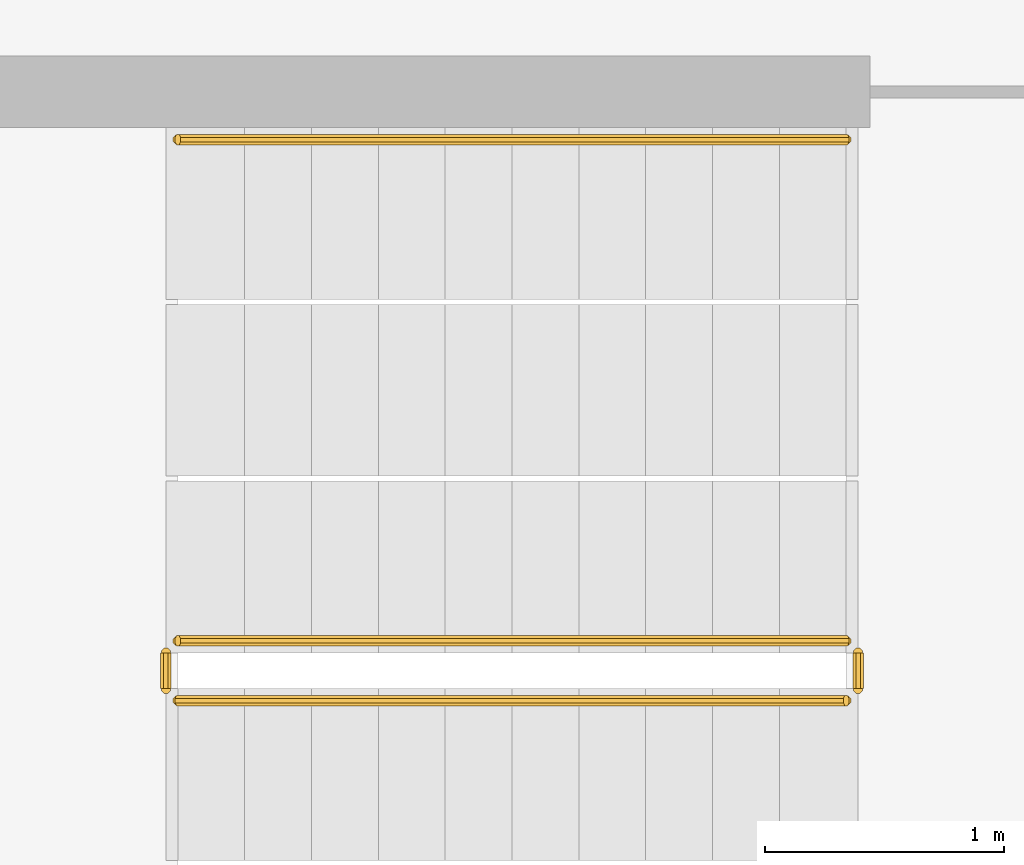
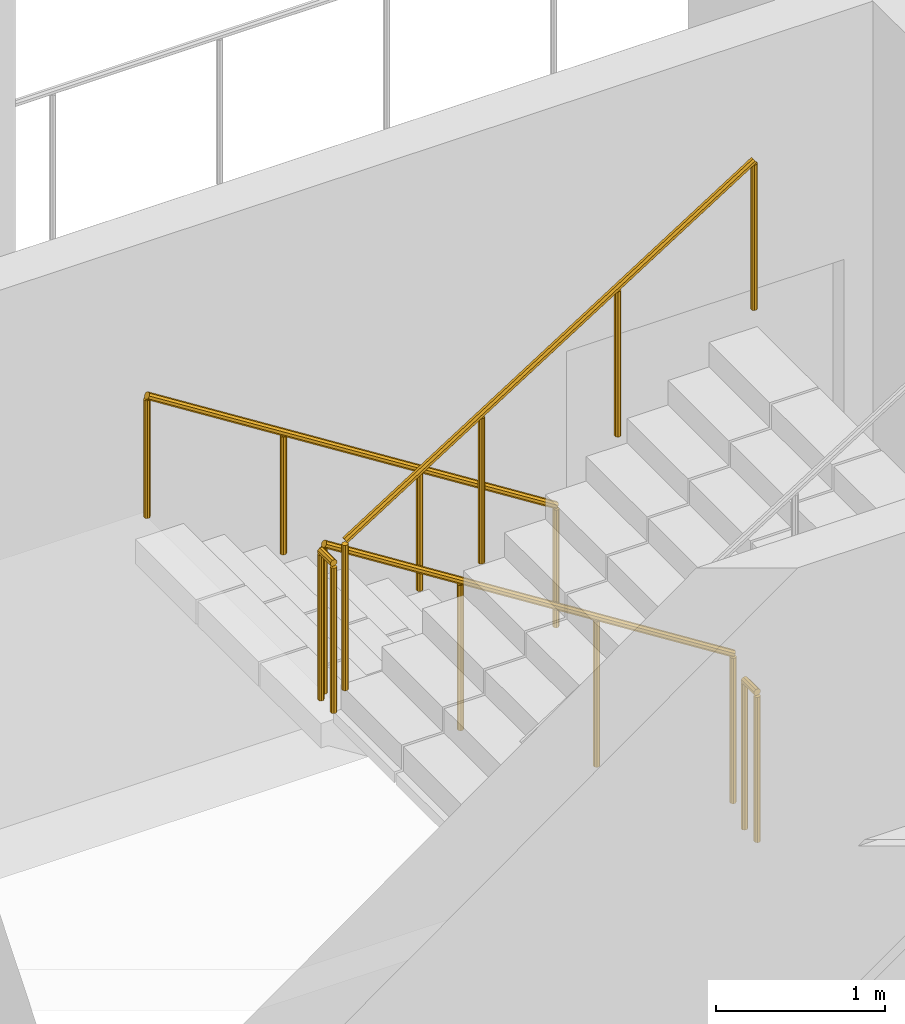
# One storey, part 19 of 26: 5 railings.
"""IFC4 building model written with IfcOpenShell, lengths in metres."""

from ifc_helpers import new_model, si_unit, direction, frame, origin, place, context, subcontext, project, spatial, polyline, outline, extrude, material, type_object, element, save


model = new_model("IFC4")

# Units and contexts
model_context = context("Model", 3, precision=1e-05, world=origin(), true_north=direction((0.0, 1.0)))
body_context = subcontext(model_context, "Body", "Model", "MODEL_VIEW")
ifc_project = project(units=[si_unit("LENGTHUNIT", "METRE"), si_unit("AREAUNIT", "SQUARE_METRE"), si_unit("VOLUMEUNIT", "CUBIC_METRE"), si_unit("PLANEANGLEUNIT", "RADIAN"), si_unit("MASSUNIT", "GRAM", prefix="KILO")], contexts=[model_context])

# Site, building, storey
site_placement = place(None, origin())
site = spatial("IfcSite", under=ifc_project, at=site_placement, CompositionType="ELEMENT")
building_placement = place(site_placement, origin())
building = spatial("IfcBuilding", under=site, at=building_placement, Name="Cormorant Relay Tower", CompositionType="ELEMENT")
storey_placement = place(building_placement, frame((0.0, 0.0, 197.39990234375)))
storey = spatial("IfcBuildingStorey", under=building, at=storey_placement, Name="L42", CompositionType="ELEMENT", Elevation=197.39990234375)

# Railings
ifc_material_1 = material(Name="Steel ASTM A572 Grade 50 (Fy 345 MPa)", Category="steel")
railing_type_1 = type_object("IfcRailingType", Name="Stair guard 1100", PredefinedType="GUARDRAIL", material=ifc_material_1)
railing_1_placement = place(storey_placement, frame((1.60009765625, -18.27490234375, 0.177490234375)))
element("IfcRailing", 1, at=railing_1_placement, inside=storey, type_object=railing_type_1, Name="L42 RK1 stair guard 1", PredefinedType="GUARDRAIL", context=body_context, shape_type="SweptSolid", body=[
    extrude(outline(polyline([(0.022216796875, 0.00927734375), (0.00927734375, 0.022216796875), (-0.00927734375, 0.022216796875), (-0.022216796875, 0.00927734375), (-0.022216796875, -0.00927734375), (-0.00927734375, -0.022216796875), (0.00927734375, -0.022216796875), (0.022216796875, -0.00927734375), (0.022216796875, 0.00927734375)])), frame((0.0, 0.0, 1.076171875), z_axis=(-0.844908973607, 0.0, 0.534910110503), x_axis=(0.0, -1.0, 0.0)), (0.0, 0.0, 1.0), 3.31396484375),
    extrude(outline(polyline([(0.019287109375, 0.008056640625), (0.008056640625, 0.019287109375), (-0.008056640625, 0.019287109375), (-0.019287109375, 0.008056640625), (-0.019287109375, -0.008056640625), (-0.008056640625, -0.019287109375), (0.008056640625, -0.019287109375), (0.019287109375, -0.008056640625), (0.019287109375, 0.008056640625)])), origin(), (0.0, 0.0, 1.0), 1.052001953125),
    extrude(outline(polyline([(0.019287109375, 0.008056640625), (0.008056640625, 0.019287109375), (-0.008056640625, 0.019287109375), (-0.019287109375, 0.008056640625), (-0.019287109375, -0.008056640625), (-0.008056640625, -0.019287109375), (0.008056640625, -0.019287109375), (0.019287109375, -0.008056640625), (0.019287109375, 0.008056640625)])), frame((-0.933349609375, 0.0, 0.5908203125)), (0.0, 0.0, 1.0), 1.052001953125),
    extrude(outline(polyline([(0.019287109375, 0.008056640625), (0.008056640625, 0.019287109375), (-0.008056640625, 0.019287109375), (-0.019287109375, 0.008056640625), (-0.019287109375, -0.008056640625), (-0.008056640625, -0.019287109375), (0.008056640625, -0.019287109375), (0.019287109375, -0.008056640625), (0.019287109375, 0.008056640625)])), frame((-1.86669921875, 0.0, 1.181884765625)), (0.0, 0.0, 1.0), 1.052001953125),
    extrude(outline(polyline([(0.019287109375, 0.008056640625), (0.008056640625, 0.019287109375), (-0.008056640625, 0.019287109375), (-0.019287109375, 0.008056640625), (-0.019287109375, -0.008056640625), (-0.008056640625, -0.019287109375), (0.008056640625, -0.019287109375), (0.019287109375, -0.008056640625), (0.019287109375, 0.008056640625)])), frame((-2.800048828125, 0.0, 1.772705078125)), (0.0, 0.0, 1.0), 1.052001953125),
])
railing_2_placement = place(storey_placement, frame((-1.25, -18.324951171875, 1.9501953125)))
element("IfcRailing", 2, at=railing_2_placement, inside=storey, type_object=railing_type_1, Name="L42 RK1 stair guard 2", PredefinedType="GUARDRAIL", context=body_context, shape_type="SweptSolid", body=[
    extrude(outline(polyline([(0.022216796875, 0.00927734375), (0.00927734375, 0.022216796875), (-0.00927734375, 0.022216796875), (-0.022216796875, 0.00927734375), (-0.022216796875, -0.00927734375), (-0.00927734375, -0.022216796875), (0.00927734375, -0.022216796875), (0.022216796875, -0.00927734375), (0.022216796875, 0.00927734375)])), frame((0.0, 0.0, 1.076171875), z_axis=(0.0, -1.0, 0.0), x_axis=(1.0, 0.0, 0.0)), (0.0, 0.0, 1.0), 0.150146484375),
    extrude(outline(polyline([(0.019287109375, 0.008056640625), (0.008056640625, 0.019287109375), (-0.008056640625, 0.019287109375), (-0.019287109375, 0.008056640625), (-0.019287109375, -0.008056640625), (-0.008056640625, -0.019287109375), (0.008056640625, -0.019287109375), (0.019287109375, -0.008056640625), (0.019287109375, 0.008056640625)])), origin(), (0.0, 0.0, 1.0), 1.052001953125),
    extrude(outline(polyline([(0.019287109375, 0.008056640625), (0.008056640625, 0.019287109375), (-0.008056640625, 0.019287109375), (-0.019287109375, 0.008056640625), (-0.019287109375, -0.008056640625), (-0.008056640625, -0.019287109375), (0.008056640625, -0.019287109375), (0.019287109375, -0.008056640625), (0.019287109375, 0.008056640625)])), frame((0.0, -0.150146484375, 0.0)), (0.0, 0.0, 1.0), 1.052001953125),
])
railing_3_placement = place(storey_placement, frame((-1.199951171875, -18.52490234375, 2.12744140625)))
element("IfcRailing", 3, at=railing_3_placement, inside=storey, type_object=railing_type_1, Name="L42 RK1 stair guard 3", PredefinedType="GUARDRAIL", context=body_context, shape_type="SweptSolid", body=[
    extrude(outline(polyline([(0.022216796875, 0.00927734375), (0.00927734375, 0.022216796875), (-0.00927734375, 0.022216796875), (-0.022216796875, 0.00927734375), (-0.022216796875, -0.00927734375), (-0.00927734375, -0.022216796875), (0.00927734375, -0.022216796875), (0.022216796875, -0.00927734375), (0.022216796875, 0.00927734375)])), frame((0.0, 0.0, 1.076171875), z_axis=(0.844908973607, 0.0, 0.534910110503), x_axis=(0.0, 1.0, 0.0)), (0.0, 0.0, 1.0), 3.31396484375),
    extrude(outline(polyline([(0.019287109375, 0.008056640625), (0.008056640625, 0.019287109375), (-0.008056640625, 0.019287109375), (-0.019287109375, 0.008056640625), (-0.019287109375, -0.008056640625), (-0.008056640625, -0.019287109375), (0.008056640625, -0.019287109375), (0.019287109375, -0.008056640625), (0.019287109375, 0.008056640625)])), origin(), (0.0, 0.0, 1.0), 1.052001953125),
    extrude(outline(polyline([(0.019287109375, 0.008056640625), (0.008056640625, 0.019287109375), (-0.008056640625, 0.019287109375), (-0.019287109375, 0.008056640625), (-0.019287109375, -0.008056640625), (-0.008056640625, -0.019287109375), (0.008056640625, -0.019287109375), (0.019287109375, -0.008056640625), (0.019287109375, 0.008056640625)])), frame((0.933349609375, 0.0, 0.5908203125)), (0.0, 0.0, 1.0), 1.052001953125),
    extrude(outline(polyline([(0.019287109375, 0.008056640625), (0.008056640625, 0.019287109375), (-0.008056640625, 0.019287109375), (-0.019287109375, 0.008056640625), (-0.019287109375, -0.008056640625), (-0.008056640625, -0.019287109375), (0.008056640625, -0.019287109375), (0.019287109375, -0.008056640625), (0.019287109375, 0.008056640625)])), frame((1.86669921875, 0.0, 1.181884765625)), (0.0, 0.0, 1.0), 1.052001953125),
    extrude(outline(polyline([(0.019287109375, 0.008056640625), (0.008056640625, 0.019287109375), (-0.008056640625, 0.019287109375), (-0.019287109375, 0.008056640625), (-0.019287109375, -0.008056640625), (-0.008056640625, -0.019287109375), (0.008056640625, -0.019287109375), (0.019287109375, -0.008056640625), (0.019287109375, 0.008056640625)])), frame((2.800048828125, 0.0, 1.772705078125)), (0.0, 0.0, 1.0), 1.052001953125),
])
railing_4_placement = place(storey_placement, frame((1.64990234375, -18.324951171875, 0.0)))
element("IfcRailing", 4, at=railing_4_placement, inside=storey, type_object=railing_type_1, Name="L42 RK1 stair guard 4", PredefinedType="GUARDRAIL", context=body_context, shape_type="SweptSolid", body=[
    extrude(outline(polyline([(0.022216796875, 0.00927734375), (0.00927734375, 0.022216796875), (-0.00927734375, 0.022216796875), (-0.022216796875, 0.00927734375), (-0.022216796875, -0.00927734375), (-0.00927734375, -0.022216796875), (0.00927734375, -0.022216796875), (0.022216796875, -0.00927734375), (0.022216796875, 0.00927734375)])), frame((0.0, 0.0, 1.076171875), z_axis=(0.0, -1.0, 0.0), x_axis=(1.0, 0.0, 0.0)), (0.0, 0.0, 1.0), 0.150146484375),
    extrude(outline(polyline([(0.019287109375, 0.008056640625), (0.008056640625, 0.019287109375), (-0.008056640625, 0.019287109375), (-0.019287109375, 0.008056640625), (-0.019287109375, -0.008056640625), (-0.008056640625, -0.019287109375), (0.008056640625, -0.019287109375), (0.019287109375, -0.008056640625), (0.019287109375, 0.008056640625)])), origin(), (0.0, 0.0, 1.0), 1.052001953125),
    extrude(outline(polyline([(0.019287109375, 0.008056640625), (0.008056640625, 0.019287109375), (-0.008056640625, 0.019287109375), (-0.019287109375, 0.008056640625), (-0.019287109375, -0.008056640625), (-0.008056640625, -0.019287109375), (0.008056640625, -0.019287109375), (0.019287109375, -0.008056640625), (0.019287109375, 0.008056640625)])), frame((0.0, -0.150146484375, 0.0)), (0.0, 0.0, 1.0), 1.052001953125),
])
ifc_material_2 = material(Name="Steel ASTM A572 Grade 50 (Fy 345 MPa)", Category="steel")
railing_type_2 = type_object("IfcRailingType", Name="Stair handrail 900", PredefinedType="HANDRAIL", material=ifc_material_2)
railing_5_placement = place(storey_placement, frame((1.60009765625, -16.175048828125, 0.177490234375)))
element("IfcRailing", 5, at=railing_5_placement, inside=storey, type_object=railing_type_2, Name="L42 RK1 stair handrail 1", PredefinedType="HANDRAIL", context=body_context, shape_type="SweptSolid", body=[
    extrude(outline(polyline([(0.022216796875, 0.00927734375), (0.00927734375, 0.022216796875), (-0.00927734375, 0.022216796875), (-0.022216796875, 0.00927734375), (-0.022216796875, -0.00927734375), (-0.00927734375, -0.022216796875), (0.00927734375, -0.022216796875), (0.022216796875, -0.00927734375), (0.022216796875, 0.00927734375)])), frame((0.0, 0.0, 0.8759765625), z_axis=(-0.844908973607, 0.0, 0.534910110503), x_axis=(0.0, -1.0, 0.0)), (0.0, 0.0, 1.0), 3.31396484375),
    extrude(outline(polyline([(0.019287109375, 0.008056640625), (0.008056640625, 0.019287109375), (-0.008056640625, 0.019287109375), (-0.019287109375, 0.008056640625), (-0.019287109375, -0.008056640625), (-0.008056640625, -0.019287109375), (0.008056640625, -0.019287109375), (0.019287109375, -0.008056640625), (0.019287109375, 0.008056640625)])), origin(), (0.0, 0.0, 1.0), 0.851806640625),
    extrude(outline(polyline([(0.019287109375, 0.008056640625), (0.008056640625, 0.019287109375), (-0.008056640625, 0.019287109375), (-0.019287109375, 0.008056640625), (-0.019287109375, -0.008056640625), (-0.008056640625, -0.019287109375), (0.008056640625, -0.019287109375), (0.019287109375, -0.008056640625), (0.019287109375, 0.008056640625)])), frame((-0.933349609375, 0.0, 0.5908203125)), (0.0, 0.0, 1.0), 0.851806640625),
    extrude(outline(polyline([(0.019287109375, 0.008056640625), (0.008056640625, 0.019287109375), (-0.008056640625, 0.019287109375), (-0.019287109375, 0.008056640625), (-0.019287109375, -0.008056640625), (-0.008056640625, -0.019287109375), (0.008056640625, -0.019287109375), (0.019287109375, -0.008056640625), (0.019287109375, 0.008056640625)])), frame((-1.86669921875, 0.0, 1.181884765625)), (0.0, 0.0, 1.0), 0.851806640625),
    extrude(outline(polyline([(0.019287109375, 0.008056640625), (0.008056640625, 0.019287109375), (-0.008056640625, 0.019287109375), (-0.019287109375, 0.008056640625), (-0.019287109375, -0.008056640625), (-0.008056640625, -0.019287109375), (0.008056640625, -0.019287109375), (0.019287109375, -0.008056640625), (0.019287109375, 0.008056640625)])), frame((-2.800048828125, 0.0, 1.772705078125)), (0.0, 0.0, 1.0), 0.851806640625),
])

save(model, "model.ifc")
